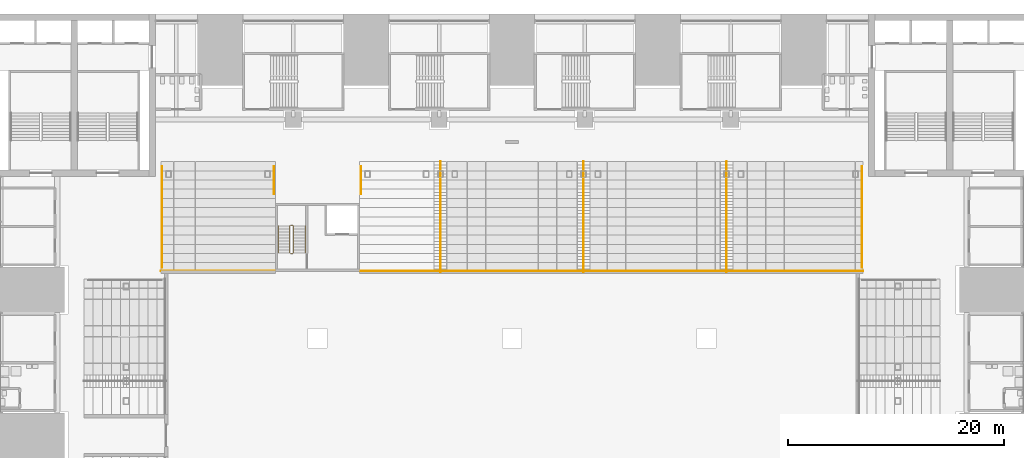
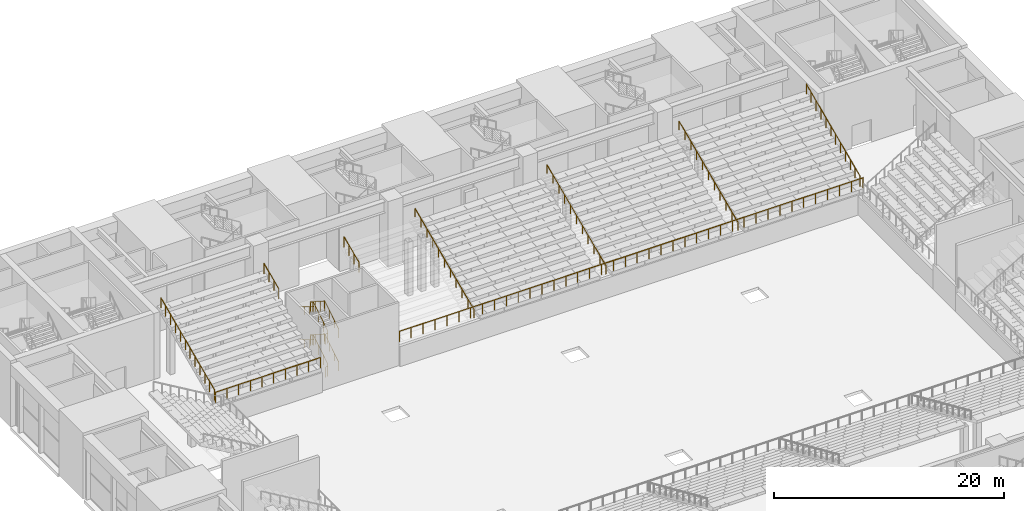
# One storey, part 57 of 62: 3 railings.
"""IFC4 building model written with IfcOpenShell, lengths in metres."""

from ifc_helpers import new_model, si_unit, direction, frame, origin, origin_2d, place, context, subcontext, project, spatial, circle, extrude, material, type_object, element, save


model = new_model("IFC4")

# Units and contexts
model_context = context("Model", 3, precision=1e-05, world=origin(), true_north=direction((0.0, 1.0)))
body_context = subcontext(model_context, "Body", "Model", "MODEL_VIEW")
ifc_project = project(units=[si_unit("LENGTHUNIT", "METRE"), si_unit("AREAUNIT", "SQUARE_METRE"), si_unit("VOLUMEUNIT", "CUBIC_METRE"), si_unit("PLANEANGLEUNIT", "RADIAN"), si_unit("MASSUNIT", "GRAM", prefix="KILO")], contexts=[model_context])

# Site, building, storey
site_placement = place(None, origin())
site = spatial("IfcSite", under=ifc_project, at=site_placement, CompositionType="ELEMENT")
building_placement = place(site_placement, origin())
building = spatial("IfcBuilding", under=site, at=building_placement, Name="Corbelhall Arena Tower", CompositionType="ELEMENT")
storey_placement = place(building_placement, frame((0.0, 0.0, 12.0)))
storey = spatial("IfcBuildingStorey", under=building, at=storey_placement, Name="L01", CompositionType="ELEMENT", Elevation=12.0)

# Railings
ifc_material_1 = material(Name="Stainless steel A4 and laminated glass", Category="steel")
railing_type_1 = type_object("IfcRailingType", Name="AR-GUARD-GLASS", PredefinedType="GUARDRAIL", material=ifc_material_1)
railing_1_placement = place(storey_placement, frame((-32.5, 15.25, 2.5)))
element("IfcRailing", 1, at=railing_1_placement, inside=storey, type_object=railing_type_1, Name="Tier guards LN", PredefinedType="GUARDRAIL", context=body_context, shape_type="SweptSolid", body=[
    extrude(circle(Radius=0.02392578125, at=origin_2d()), frame((0.0, 0.0, 1.076171875), z_axis=(1.0, 0.0, 0.0), x_axis=(0.0, 1.0, 0.0)), (0.0, 0.0, 1.0), 10.5400390625),
    extrude(circle(Radius=0.02392578125, at=origin_2d()), frame((18.4599609375, 0.0, 1.076171875), z_axis=(1.0, 0.0, 0.0), x_axis=(0.0, 1.0, 0.0)), (0.0, 0.0, 1.0), 46.5400390625),
    extrude(circle(Radius=0.02392578125, at=origin_2d()), frame((0.1201171875, 0.324951171875, 1.076171875), z_axis=(0.0, 0.914934924949, 0.403601391362), x_axis=(-1.0, 0.0, 0.0)), (0.0, 0.0, 1.0), 0.92919921875),
    extrude(circle(Radius=0.02392578125, at=origin_2d()), frame((0.1201171875, 1.175048828125, 1.451171875), z_axis=(0.0, 0.914892107244, 0.403698442036), x_axis=(-1.0, 0.0, 0.0)), (0.0, 0.0, 1.0), 0.928955078125),
    extrude(circle(Radius=0.02392578125, at=origin_2d()), frame((0.1201171875, 2.02490234375, 1.826171875), z_axis=(0.0, 0.914934924949, 0.403601391362), x_axis=(-1.0, 0.0, 0.0)), (0.0, 0.0, 1.0), 0.92919921875),
    extrude(circle(Radius=0.02392578125, at=origin_2d()), frame((0.1201171875, 2.875, 2.201171875), z_axis=(0.0, 0.914934924949, 0.403601391362), x_axis=(-1.0, 0.0, 0.0)), (0.0, 0.0, 1.0), 0.92919921875),
    extrude(circle(Radius=0.02392578125, at=origin_2d()), frame((0.1201171875, 3.72509765625, 2.576171875), z_axis=(0.0, 0.914892107244, 0.403698442036), x_axis=(-1.0, 0.0, 0.0)), (0.0, 0.0, 1.0), 0.928955078125),
    extrude(circle(Radius=0.02392578125, at=origin_2d()), frame((0.1201171875, 4.574951171875, 2.951171875), z_axis=(0.0, 0.914934924949, 0.403601391362), x_axis=(-1.0, 0.0, 0.0)), (0.0, 0.0, 1.0), 0.92919921875),
    extrude(circle(Radius=0.02392578125, at=origin_2d()), frame((0.1201171875, 5.425048828125, 3.326171875), z_axis=(0.0, 0.914892107244, 0.403698442036), x_axis=(-1.0, 0.0, 0.0)), (0.0, 0.0, 1.0), 0.928955078125),
    extrude(circle(Radius=0.02392578125, at=origin_2d()), frame((0.1201171875, 6.27490234375, 3.701171875), z_axis=(0.0, 0.914934924949, 0.403601391362), x_axis=(-1.0, 0.0, 0.0)), (0.0, 0.0, 1.0), 0.92919921875),
    extrude(circle(Radius=0.02392578125, at=origin_2d()), frame((0.1201171875, 7.125, 4.076171875), z_axis=(0.0, 0.914934924949, 0.403601391362), x_axis=(-1.0, 0.0, 0.0)), (0.0, 0.0, 1.0), 0.92919921875),
    extrude(circle(Radius=0.02392578125, at=origin_2d()), frame((0.1201171875, 7.97509765625, 4.451171875), z_axis=(0.0, 0.914892107244, 0.403698442036), x_axis=(-1.0, 0.0, 0.0)), (0.0, 0.0, 1.0), 0.928955078125),
    extrude(circle(Radius=0.02392578125, at=origin_2d()), frame((0.1201171875, 8.824951171875, 4.826171875), z_axis=(0.0, 0.914934924949, 0.403601391362), x_axis=(-1.0, 0.0, 0.0)), (0.0, 0.0, 1.0), 0.92919921875),
    extrude(circle(Radius=0.02392578125, at=origin_2d()), frame((64.8798828125, 0.324951171875, 1.076171875), z_axis=(0.0, 0.914934924949, 0.403601391362), x_axis=(-1.0, 0.0, 0.0)), (0.0, 0.0, 1.0), 0.92919921875),
    extrude(circle(Radius=0.02392578125, at=origin_2d()), frame((64.8798828125, 1.175048828125, 1.451171875), z_axis=(0.0, 0.914892107244, 0.403698442036), x_axis=(-1.0, 0.0, 0.0)), (0.0, 0.0, 1.0), 0.928955078125),
    extrude(circle(Radius=0.02392578125, at=origin_2d()), frame((64.8798828125, 2.02490234375, 1.826171875), z_axis=(0.0, 0.914934924949, 0.403601391362), x_axis=(-1.0, 0.0, 0.0)), (0.0, 0.0, 1.0), 0.92919921875),
    extrude(circle(Radius=0.02392578125, at=origin_2d()), frame((64.8798828125, 2.875, 2.201171875), z_axis=(0.0, 0.914934924949, 0.403601391362), x_axis=(-1.0, 0.0, 0.0)), (0.0, 0.0, 1.0), 0.92919921875),
    extrude(circle(Radius=0.02392578125, at=origin_2d()), frame((64.8798828125, 3.72509765625, 2.576171875), z_axis=(0.0, 0.914892107244, 0.403698442036), x_axis=(-1.0, 0.0, 0.0)), (0.0, 0.0, 1.0), 0.928955078125),
    extrude(circle(Radius=0.02392578125, at=origin_2d()), frame((64.8798828125, 4.574951171875, 2.951171875), z_axis=(0.0, 0.914934924949, 0.403601391362), x_axis=(-1.0, 0.0, 0.0)), (0.0, 0.0, 1.0), 0.92919921875),
    extrude(circle(Radius=0.02392578125, at=origin_2d()), frame((64.8798828125, 5.425048828125, 3.326171875), z_axis=(0.0, 0.914892107244, 0.403698442036), x_axis=(-1.0, 0.0, 0.0)), (0.0, 0.0, 1.0), 0.928955078125),
    extrude(circle(Radius=0.02392578125, at=origin_2d()), frame((64.8798828125, 6.27490234375, 3.701171875), z_axis=(0.0, 0.914934924949, 0.403601391362), x_axis=(-1.0, 0.0, 0.0)), (0.0, 0.0, 1.0), 0.92919921875),
    extrude(circle(Radius=0.02392578125, at=origin_2d()), frame((64.8798828125, 7.125, 4.076171875), z_axis=(0.0, 0.914934924949, 0.403601391362), x_axis=(-1.0, 0.0, 0.0)), (0.0, 0.0, 1.0), 0.92919921875),
    extrude(circle(Radius=0.02392578125, at=origin_2d()), frame((64.8798828125, 7.97509765625, 4.451171875), z_axis=(0.0, 0.914892107244, 0.403698442036), x_axis=(-1.0, 0.0, 0.0)), (0.0, 0.0, 1.0), 0.928955078125),
    extrude(circle(Radius=0.02392578125, at=origin_2d()), frame((64.8798828125, 8.824951171875, 4.826171875), z_axis=(0.0, 0.914934924949, 0.403601391362), x_axis=(-1.0, 0.0, 0.0)), (0.0, 0.0, 1.0), 0.92919921875),
    extrude(circle(Radius=0.02392578125, at=origin_2d()), frame((10.47998046875, 7.125, 4.076171875), z_axis=(0.0, 0.914934924949, 0.403601391362), x_axis=(-1.0, 0.0, 0.0)), (0.0, 0.0, 1.0), 0.92919921875),
    extrude(circle(Radius=0.02392578125, at=origin_2d()), frame((10.47998046875, 7.97509765625, 4.451171875), z_axis=(0.0, 0.914892107244, 0.403698442036), x_axis=(-1.0, 0.0, 0.0)), (0.0, 0.0, 1.0), 0.928955078125),
    extrude(circle(Radius=0.02392578125, at=origin_2d()), frame((10.47998046875, 8.824951171875, 4.826171875), z_axis=(0.0, 0.914934924949, 0.403601391362), x_axis=(-1.0, 0.0, 0.0)), (0.0, 0.0, 1.0), 0.92919921875),
    extrude(circle(Radius=0.02392578125, at=origin_2d()), frame((18.52001953125, 7.125, 4.076171875), z_axis=(0.0, 0.914934924949, 0.403601391362), x_axis=(-1.0, 0.0, 0.0)), (0.0, 0.0, 1.0), 0.92919921875),
    extrude(circle(Radius=0.02392578125, at=origin_2d()), frame((18.52001953125, 7.97509765625, 4.451171875), z_axis=(0.0, 0.914892107244, 0.403698442036), x_axis=(-1.0, 0.0, 0.0)), (0.0, 0.0, 1.0), 0.928955078125),
    extrude(circle(Radius=0.02392578125, at=origin_2d()), frame((18.52001953125, 8.824951171875, 4.826171875), z_axis=(0.0, 0.914934924949, 0.403601391362), x_axis=(-1.0, 0.0, 0.0)), (0.0, 0.0, 1.0), 0.92919921875),
    extrude(circle(Radius=0.02099609375, at=origin_2d()), origin(), (0.0, 0.0, 1.0), 1.052001953125),
    extrude(circle(Radius=0.02099609375, at=origin_2d()), frame((1.171142578125, 0.0, 0.0)), (0.0, 0.0, 1.0), 1.052001953125),
    extrude(circle(Radius=0.02099609375, at=origin_2d()), frame((2.34228515625, 0.0, 0.0)), (0.0, 0.0, 1.0), 1.052001953125),
    extrude(circle(Radius=0.02099609375, at=origin_2d()), frame((3.513427734375, 0.0, 0.0)), (0.0, 0.0, 1.0), 1.052001953125),
    extrude(circle(Radius=0.02099609375, at=origin_2d()), frame((4.6845703125, 0.0, 0.0)), (0.0, 0.0, 1.0), 1.052001953125),
    extrude(circle(Radius=0.02099609375, at=origin_2d()), frame((5.85546875, 0.0, 0.0)), (0.0, 0.0, 1.0), 1.052001953125),
    extrude(circle(Radius=0.02099609375, at=origin_2d()), frame((7.026611328125, 0.0, 0.0)), (0.0, 0.0, 1.0), 1.052001953125),
    extrude(circle(Radius=0.02099609375, at=origin_2d()), frame((8.19775390625, 0.0, 0.0)), (0.0, 0.0, 1.0), 1.052001953125),
    extrude(circle(Radius=0.02099609375, at=origin_2d()), frame((9.368896484375, 0.0, 0.0)), (0.0, 0.0, 1.0), 1.052001953125),
    extrude(circle(Radius=0.02099609375, at=origin_2d()), frame((10.5400390625, 0.0, 0.0)), (0.0, 0.0, 1.0), 1.052001953125),
    extrude(circle(Radius=0.02099609375, at=origin_2d()), frame((18.4599609375, 0.0, 0.0)), (0.0, 0.0, 1.0), 1.052001953125),
    extrude(circle(Radius=0.02099609375, at=origin_2d()), frame((19.6533203125, 0.0, 0.0)), (0.0, 0.0, 1.0), 1.052001953125),
    extrude(circle(Radius=0.02099609375, at=origin_2d()), frame((20.8466796875, 0.0, 0.0)), (0.0, 0.0, 1.0), 1.052001953125),
    extrude(circle(Radius=0.02099609375, at=origin_2d()), frame((22.0400390625, 0.0, 0.0)), (0.0, 0.0, 1.0), 1.052001953125),
    extrude(circle(Radius=0.02099609375, at=origin_2d()), frame((23.2333984375, 0.0, 0.0)), (0.0, 0.0, 1.0), 1.052001953125),
    extrude(circle(Radius=0.02099609375, at=origin_2d()), frame((24.426513671875, 0.0, 0.0)), (0.0, 0.0, 1.0), 1.052001953125),
    extrude(circle(Radius=0.02099609375, at=origin_2d()), frame((25.619873046875, 0.0, 0.0)), (0.0, 0.0, 1.0), 1.052001953125),
    extrude(circle(Radius=0.02099609375, at=origin_2d()), frame((26.813232421875, 0.0, 0.0)), (0.0, 0.0, 1.0), 1.052001953125),
    extrude(circle(Radius=0.02099609375, at=origin_2d()), frame((28.006591796875, 0.0, 0.0)), (0.0, 0.0, 1.0), 1.052001953125),
    extrude(circle(Radius=0.02099609375, at=origin_2d()), frame((29.199951171875, 0.0, 0.0)), (0.0, 0.0, 1.0), 1.052001953125),
    extrude(circle(Radius=0.02099609375, at=origin_2d()), frame((30.393310546875, 0.0, 0.0)), (0.0, 0.0, 1.0), 1.052001953125),
    extrude(circle(Radius=0.02099609375, at=origin_2d()), frame((31.586669921875, 0.0, 0.0)), (0.0, 0.0, 1.0), 1.052001953125),
    extrude(circle(Radius=0.02099609375, at=origin_2d()), frame((32.780029296875, 0.0, 0.0)), (0.0, 0.0, 1.0), 1.052001953125),
    extrude(circle(Radius=0.02099609375, at=origin_2d()), frame((33.973388671875, 0.0, 0.0)), (0.0, 0.0, 1.0), 1.052001953125),
    extrude(circle(Radius=0.02099609375, at=origin_2d()), frame((35.166748046875, 0.0, 0.0)), (0.0, 0.0, 1.0), 1.052001953125),
    extrude(circle(Radius=0.02099609375, at=origin_2d()), frame((36.35986328125, 0.0, 0.0)), (0.0, 0.0, 1.0), 1.052001953125),
    extrude(circle(Radius=0.02099609375, at=origin_2d()), frame((37.55322265625, 0.0, 0.0)), (0.0, 0.0, 1.0), 1.052001953125),
    extrude(circle(Radius=0.02099609375, at=origin_2d()), frame((38.74658203125, 0.0, 0.0)), (0.0, 0.0, 1.0), 1.052001953125),
    extrude(circle(Radius=0.02099609375, at=origin_2d()), frame((39.93994140625, 0.0, 0.0)), (0.0, 0.0, 1.0), 1.052001953125),
    extrude(circle(Radius=0.02099609375, at=origin_2d()), frame((41.13330078125, 0.0, 0.0)), (0.0, 0.0, 1.0), 1.052001953125),
    extrude(circle(Radius=0.02099609375, at=origin_2d()), frame((42.32666015625, 0.0, 0.0)), (0.0, 0.0, 1.0), 1.052001953125),
    extrude(circle(Radius=0.02099609375, at=origin_2d()), frame((43.52001953125, 0.0, 0.0)), (0.0, 0.0, 1.0), 1.052001953125),
    extrude(circle(Radius=0.02099609375, at=origin_2d()), frame((44.71337890625, 0.0, 0.0)), (0.0, 0.0, 1.0), 1.052001953125),
    extrude(circle(Radius=0.02099609375, at=origin_2d()), frame((45.90673828125, 0.0, 0.0)), (0.0, 0.0, 1.0), 1.052001953125),
    extrude(circle(Radius=0.02099609375, at=origin_2d()), frame((47.10009765625, 0.0, 0.0)), (0.0, 0.0, 1.0), 1.052001953125),
    extrude(circle(Radius=0.02099609375, at=origin_2d()), frame((48.293212890625, 0.0, 0.0)), (0.0, 0.0, 1.0), 1.052001953125),
    extrude(circle(Radius=0.02099609375, at=origin_2d()), frame((49.486572265625, 0.0, 0.0)), (0.0, 0.0, 1.0), 1.052001953125),
    extrude(circle(Radius=0.02099609375, at=origin_2d()), frame((50.679931640625, 0.0, 0.0)), (0.0, 0.0, 1.0), 1.052001953125),
    extrude(circle(Radius=0.02099609375, at=origin_2d()), frame((51.873291015625, 0.0, 0.0)), (0.0, 0.0, 1.0), 1.052001953125),
    extrude(circle(Radius=0.02099609375, at=origin_2d()), frame((53.066650390625, 0.0, 0.0)), (0.0, 0.0, 1.0), 1.052001953125),
    extrude(circle(Radius=0.02099609375, at=origin_2d()), frame((54.260009765625, 0.0, 0.0)), (0.0, 0.0, 1.0), 1.052001953125),
    extrude(circle(Radius=0.02099609375, at=origin_2d()), frame((55.453369140625, 0.0, 0.0)), (0.0, 0.0, 1.0), 1.052001953125),
    extrude(circle(Radius=0.02099609375, at=origin_2d()), frame((56.646728515625, 0.0, 0.0)), (0.0, 0.0, 1.0), 1.052001953125),
    extrude(circle(Radius=0.02099609375, at=origin_2d()), frame((57.840087890625, 0.0, 0.0)), (0.0, 0.0, 1.0), 1.052001953125),
    extrude(circle(Radius=0.02099609375, at=origin_2d()), frame((59.033447265625, 0.0, 0.0)), (0.0, 0.0, 1.0), 1.052001953125),
    extrude(circle(Radius=0.02099609375, at=origin_2d()), frame((60.2265625, 0.0, 0.0)), (0.0, 0.0, 1.0), 1.052001953125),
    extrude(circle(Radius=0.02099609375, at=origin_2d()), frame((61.419921875, 0.0, 0.0)), (0.0, 0.0, 1.0), 1.052001953125),
    extrude(circle(Radius=0.02099609375, at=origin_2d()), frame((62.61328125, 0.0, 0.0)), (0.0, 0.0, 1.0), 1.052001953125),
    extrude(circle(Radius=0.02099609375, at=origin_2d()), frame((63.806640625, 0.0, 0.0)), (0.0, 0.0, 1.0), 1.052001953125),
    extrude(circle(Radius=0.02099609375, at=origin_2d()), frame((65.0, 0.0, 0.0)), (0.0, 0.0, 1.0), 1.052001953125),
    extrude(circle(Radius=0.02099609375, at=origin_2d()), frame((0.1201171875, 0.324951171875, 0.0)), (0.0, 0.0, 1.0), 1.052001953125),
    extrude(circle(Radius=0.02099609375, at=origin_2d()), frame((0.1201171875, 1.175048828125, 0.375)), (0.0, 0.0, 1.0), 1.052001953125),
    extrude(circle(Radius=0.02099609375, at=origin_2d()), frame((0.1201171875, 2.02490234375, 0.75)), (0.0, 0.0, 1.0), 1.052001953125),
    extrude(circle(Radius=0.02099609375, at=origin_2d()), frame((0.1201171875, 2.875, 1.125)), (0.0, 0.0, 1.0), 1.052001953125),
    extrude(circle(Radius=0.02099609375, at=origin_2d()), frame((0.1201171875, 3.72509765625, 1.5)), (0.0, 0.0, 1.0), 1.052001953125),
    extrude(circle(Radius=0.02099609375, at=origin_2d()), frame((0.1201171875, 4.574951171875, 1.875)), (0.0, 0.0, 1.0), 1.052001953125),
    extrude(circle(Radius=0.02099609375, at=origin_2d()), frame((0.1201171875, 5.425048828125, 2.25)), (0.0, 0.0, 1.0), 1.052001953125),
    extrude(circle(Radius=0.02099609375, at=origin_2d()), frame((0.1201171875, 6.27490234375, 2.625)), (0.0, 0.0, 1.0), 1.052001953125),
    extrude(circle(Radius=0.02099609375, at=origin_2d()), frame((0.1201171875, 7.125, 3.0)), (0.0, 0.0, 1.0), 1.052001953125),
    extrude(circle(Radius=0.02099609375, at=origin_2d()), frame((0.1201171875, 7.97509765625, 3.375)), (0.0, 0.0, 1.0), 1.052001953125),
    extrude(circle(Radius=0.02099609375, at=origin_2d()), frame((0.1201171875, 8.824951171875, 3.75)), (0.0, 0.0, 1.0), 1.052001953125),
    extrude(circle(Radius=0.02099609375, at=origin_2d()), frame((0.1201171875, 9.675048828125, 4.125)), (0.0, 0.0, 1.0), 1.052001953125),
    extrude(circle(Radius=0.02099609375, at=origin_2d()), frame((64.8798828125, 0.324951171875, 0.0)), (0.0, 0.0, 1.0), 1.052001953125),
    extrude(circle(Radius=0.02099609375, at=origin_2d()), frame((64.8798828125, 1.175048828125, 0.375)), (0.0, 0.0, 1.0), 1.052001953125),
    extrude(circle(Radius=0.02099609375, at=origin_2d()), frame((64.8798828125, 2.02490234375, 0.75)), (0.0, 0.0, 1.0), 1.052001953125),
    extrude(circle(Radius=0.02099609375, at=origin_2d()), frame((64.8798828125, 2.875, 1.125)), (0.0, 0.0, 1.0), 1.052001953125),
    extrude(circle(Radius=0.02099609375, at=origin_2d()), frame((64.8798828125, 3.72509765625, 1.5)), (0.0, 0.0, 1.0), 1.052001953125),
    extrude(circle(Radius=0.02099609375, at=origin_2d()), frame((64.8798828125, 4.574951171875, 1.875)), (0.0, 0.0, 1.0), 1.052001953125),
    extrude(circle(Radius=0.02099609375, at=origin_2d()), frame((64.8798828125, 5.425048828125, 2.25)), (0.0, 0.0, 1.0), 1.052001953125),
    extrude(circle(Radius=0.02099609375, at=origin_2d()), frame((64.8798828125, 6.27490234375, 2.625)), (0.0, 0.0, 1.0), 1.052001953125),
    extrude(circle(Radius=0.02099609375, at=origin_2d()), frame((64.8798828125, 7.125, 3.0)), (0.0, 0.0, 1.0), 1.052001953125),
    extrude(circle(Radius=0.02099609375, at=origin_2d()), frame((64.8798828125, 7.97509765625, 3.375)), (0.0, 0.0, 1.0), 1.052001953125),
    extrude(circle(Radius=0.02099609375, at=origin_2d()), frame((64.8798828125, 8.824951171875, 3.75)), (0.0, 0.0, 1.0), 1.052001953125),
    extrude(circle(Radius=0.02099609375, at=origin_2d()), frame((64.8798828125, 9.675048828125, 4.125)), (0.0, 0.0, 1.0), 1.052001953125),
    extrude(circle(Radius=0.02099609375, at=origin_2d()), frame((10.47998046875, 7.125, 3.0)), (0.0, 0.0, 1.0), 1.052001953125),
    extrude(circle(Radius=0.02099609375, at=origin_2d()), frame((10.47998046875, 7.97509765625, 3.375)), (0.0, 0.0, 1.0), 1.052001953125),
    extrude(circle(Radius=0.02099609375, at=origin_2d()), frame((10.47998046875, 8.824951171875, 3.75)), (0.0, 0.0, 1.0), 1.052001953125),
    extrude(circle(Radius=0.02099609375, at=origin_2d()), frame((10.47998046875, 9.675048828125, 4.125)), (0.0, 0.0, 1.0), 1.052001953125),
    extrude(circle(Radius=0.02099609375, at=origin_2d()), frame((18.52001953125, 7.125, 3.0)), (0.0, 0.0, 1.0), 1.052001953125),
    extrude(circle(Radius=0.02099609375, at=origin_2d()), frame((18.52001953125, 7.97509765625, 3.375)), (0.0, 0.0, 1.0), 1.052001953125),
    extrude(circle(Radius=0.02099609375, at=origin_2d()), frame((18.52001953125, 8.824951171875, 3.75)), (0.0, 0.0, 1.0), 1.052001953125),
    extrude(circle(Radius=0.02099609375, at=origin_2d()), frame((18.52001953125, 9.675048828125, 4.125)), (0.0, 0.0, 1.0), 1.052001953125),
])
ifc_material_2 = material(Name="Stainless steel A4", Category="steel")
railing_type_2 = type_object("IfcRailingType", Name="AR-HANDRAIL-AISLE", PredefinedType="HANDRAIL", material=ifc_material_2)
railing_2_placement = place(storey_placement, frame((-6.6201171875, 15.14990234375, 2.5)))
element("IfcRailing", 2, at=railing_2_placement, inside=storey, type_object=railing_type_2, Name="Aisle handrails LN", PredefinedType="HANDRAIL", context=body_context, shape_type="SweptSolid", body=[
    extrude(circle(Radius=0.02392578125, at=origin_2d()), frame((0.0, 0.0, 0.8759765625), z_axis=(0.0, 0.914920655812, 0.403633736906), x_axis=(-1.0, 0.0, 0.0)), (0.0, 0.0, 1.0), 11.148681640625),
    extrude(circle(Radius=0.02392578125, at=origin_2d()), frame((13.240234375, 0.0, 0.8759765625), z_axis=(0.0, 0.914920655812, 0.403633736906), x_axis=(-1.0, 0.0, 0.0)), (0.0, 0.0, 1.0), 11.148681640625),
    extrude(circle(Radius=0.02392578125, at=origin_2d()), frame((26.480224609375, 0.0, 0.8759765625), z_axis=(0.0, 0.914920655812, 0.403633736906), x_axis=(-1.0, 0.0, 0.0)), (0.0, 0.0, 1.0), 11.148681640625),
    extrude(circle(Radius=0.02099609375, at=origin_2d()), origin(), (0.0, 0.0, 1.0), 0.851806640625),
    extrude(circle(Radius=0.02099609375, at=origin_2d()), frame((0.0, 1.02001953125, 0.449951171875)), (0.0, 0.0, 1.0), 0.851806640625),
    extrude(circle(Radius=0.02099609375, at=origin_2d()), frame((0.0, 2.0400390625, 0.89990234375)), (0.0, 0.0, 1.0), 0.851806640625),
    extrude(circle(Radius=0.02099609375, at=origin_2d()), frame((0.0, 3.06005859375, 1.35009765625)), (0.0, 0.0, 1.0), 0.851806640625),
    extrude(circle(Radius=0.02099609375, at=origin_2d()), frame((0.0, 4.080078125, 1.800048828125)), (0.0, 0.0, 1.0), 0.851806640625),
    extrude(circle(Radius=0.02099609375, at=origin_2d()), frame((0.0, 5.10009765625, 2.25)), (0.0, 0.0, 1.0), 0.851806640625),
    extrude(circle(Radius=0.02099609375, at=origin_2d()), frame((0.0, 6.1201171875, 2.699951171875)), (0.0, 0.0, 1.0), 0.851806640625),
    extrude(circle(Radius=0.02099609375, at=origin_2d()), frame((0.0, 7.14013671875, 3.14990234375)), (0.0, 0.0, 1.0), 0.851806640625),
    extrude(circle(Radius=0.02099609375, at=origin_2d()), frame((0.0, 8.16015625, 3.60009765625)), (0.0, 0.0, 1.0), 0.851806640625),
    extrude(circle(Radius=0.02099609375, at=origin_2d()), frame((0.0, 9.18017578125, 4.050048828125)), (0.0, 0.0, 1.0), 0.851806640625),
    extrude(circle(Radius=0.02099609375, at=origin_2d()), frame((0.0, 10.2001953125, 4.5)), (0.0, 0.0, 1.0), 0.851806640625),
    extrude(circle(Radius=0.02099609375, at=origin_2d()), frame((13.240234375, 0.0, 0.0)), (0.0, 0.0, 1.0), 0.851806640625),
    extrude(circle(Radius=0.02099609375, at=origin_2d()), frame((13.240234375, 1.02001953125, 0.449951171875)), (0.0, 0.0, 1.0), 0.851806640625),
    extrude(circle(Radius=0.02099609375, at=origin_2d()), frame((13.240234375, 2.0400390625, 0.89990234375)), (0.0, 0.0, 1.0), 0.851806640625),
    extrude(circle(Radius=0.02099609375, at=origin_2d()), frame((13.240234375, 3.06005859375, 1.35009765625)), (0.0, 0.0, 1.0), 0.851806640625),
    extrude(circle(Radius=0.02099609375, at=origin_2d()), frame((13.240234375, 4.080078125, 1.800048828125)), (0.0, 0.0, 1.0), 0.851806640625),
    extrude(circle(Radius=0.02099609375, at=origin_2d()), frame((13.240234375, 5.10009765625, 2.25)), (0.0, 0.0, 1.0), 0.851806640625),
    extrude(circle(Radius=0.02099609375, at=origin_2d()), frame((13.240234375, 6.1201171875, 2.699951171875)), (0.0, 0.0, 1.0), 0.851806640625),
    extrude(circle(Radius=0.02099609375, at=origin_2d()), frame((13.240234375, 7.14013671875, 3.14990234375)), (0.0, 0.0, 1.0), 0.851806640625),
    extrude(circle(Radius=0.02099609375, at=origin_2d()), frame((13.240234375, 8.16015625, 3.60009765625)), (0.0, 0.0, 1.0), 0.851806640625),
    extrude(circle(Radius=0.02099609375, at=origin_2d()), frame((13.240234375, 9.18017578125, 4.050048828125)), (0.0, 0.0, 1.0), 0.851806640625),
    extrude(circle(Radius=0.02099609375, at=origin_2d()), frame((13.240234375, 10.2001953125, 4.5)), (0.0, 0.0, 1.0), 0.851806640625),
    extrude(circle(Radius=0.02099609375, at=origin_2d()), frame((26.480224609375, 0.0, 0.0)), (0.0, 0.0, 1.0), 0.851806640625),
    extrude(circle(Radius=0.02099609375, at=origin_2d()), frame((26.480224609375, 1.02001953125, 0.449951171875)), (0.0, 0.0, 1.0), 0.851806640625),
    extrude(circle(Radius=0.02099609375, at=origin_2d()), frame((26.480224609375, 2.0400390625, 0.89990234375)), (0.0, 0.0, 1.0), 0.851806640625),
    extrude(circle(Radius=0.02099609375, at=origin_2d()), frame((26.480224609375, 3.06005859375, 1.35009765625)), (0.0, 0.0, 1.0), 0.851806640625),
    extrude(circle(Radius=0.02099609375, at=origin_2d()), frame((26.480224609375, 4.080078125, 1.800048828125)), (0.0, 0.0, 1.0), 0.851806640625),
    extrude(circle(Radius=0.02099609375, at=origin_2d()), frame((26.480224609375, 5.10009765625, 2.25)), (0.0, 0.0, 1.0), 0.851806640625),
    extrude(circle(Radius=0.02099609375, at=origin_2d()), frame((26.480224609375, 6.1201171875, 2.699951171875)), (0.0, 0.0, 1.0), 0.851806640625),
    extrude(circle(Radius=0.02099609375, at=origin_2d()), frame((26.480224609375, 7.14013671875, 3.14990234375)), (0.0, 0.0, 1.0), 0.851806640625),
    extrude(circle(Radius=0.02099609375, at=origin_2d()), frame((26.480224609375, 8.16015625, 3.60009765625)), (0.0, 0.0, 1.0), 0.851806640625),
    extrude(circle(Radius=0.02099609375, at=origin_2d()), frame((26.480224609375, 9.18017578125, 4.050048828125)), (0.0, 0.0, 1.0), 0.851806640625),
    extrude(circle(Radius=0.02099609375, at=origin_2d()), frame((26.480224609375, 10.2001953125, 4.5)), (0.0, 0.0, 1.0), 0.851806640625),
])
ifc_material_3 = material(Name="Steel ASTM A500 Gr C", Category="steel")
railing_type_3 = type_object("IfcRailingType", Name="IN-GD-1100", PredefinedType="GUARDRAIL", material=ifc_material_3)
railing_3_placement = place(storey_placement, frame((-20.2451171875, 16.89990234375, 0.175048828125)))
element("IfcRailing", 3, at=railing_3_placement, inside=storey, type_object=railing_type_3, Name="L01 AS17 stair guards and handrails", PredefinedType="GUARDRAIL", context=body_context, shape_type="SweptSolid", body=[
    extrude(circle(Radius=0.02392578125, at=origin_2d()), frame((0.0, 0.0, 1.076171875), z_axis=(0.0, 0.848007534815, 0.529984170421), x_axis=(-1.0, 0.0, 0.0)), (0.0, 0.0, 1.0), 2.9716796875),
    extrude(circle(Radius=0.02392578125, at=origin_2d()), frame((-0.0498046875, 2.570068359375, 2.65087890625), z_axis=(-1.0, 0.0, 0.0), x_axis=(0.0, -1.0, 0.0)), (0.0, 0.0, 1.0), 0.2001953125),
    extrude(circle(Radius=0.02392578125, at=origin_2d()), frame((-0.2998046875, 2.52001953125, 2.826171875), z_axis=(0.0, -0.848007534815, 0.529984170421), x_axis=(1.0, 0.0, 0.0)), (0.0, 0.0, 1.0), 2.9716796875),
    extrude(circle(Radius=0.02392578125, at=origin_2d()), frame((-0.0498046875, -0.0498046875, 4.40087890625), z_axis=(-1.0, 0.0, 0.0), x_axis=(0.0, -1.0, 0.0)), (0.0, 0.0, 1.0), 0.2001953125),
    extrude(circle(Radius=0.02392578125, at=origin_2d()), frame((0.0, 0.0, 4.576171875), z_axis=(0.0, 0.848007534815, 0.529984170421), x_axis=(-1.0, 0.0, 0.0)), (0.0, 0.0, 1.0), 2.9716796875),
    extrude(circle(Radius=0.02392578125, at=origin_2d()), frame((-0.0498046875, 2.570068359375, 6.15087890625), z_axis=(-1.0, 0.0, 0.0), x_axis=(0.0, -1.0, 0.0)), (0.0, 0.0, 1.0), 0.2001953125),
    extrude(circle(Radius=0.02392578125, at=origin_2d()), frame((-0.2998046875, 2.52001953125, 6.326171875), z_axis=(0.0, -0.848007534815, 0.529984170421), x_axis=(1.0, 0.0, 0.0)), (0.0, 0.0, 1.0), 2.9716796875),
    extrude(circle(Radius=0.02392578125, at=origin_2d()), frame((-0.0498046875, -0.0498046875, 0.90087890625), z_axis=(-1.0, 0.0, 0.0), x_axis=(0.0, -1.0, 0.0)), (0.0, 0.0, 1.0), 0.2001953125),
    extrude(circle(Radius=0.02392578125, at=origin_2d()), frame((1.10009765625, 0.0, 0.8759765625), z_axis=(0.0, 0.848007534815, 0.529984170421), x_axis=(-1.0, 0.0, 0.0)), (0.0, 0.0, 1.0), 2.9716796875),
    extrude(circle(Radius=0.02392578125, at=origin_2d()), frame((-1.39990234375, 2.52001953125, 2.6259765625), z_axis=(0.0, -0.848007534815, 0.529984170421), x_axis=(1.0, 0.0, 0.0)), (0.0, 0.0, 1.0), 2.9716796875),
    extrude(circle(Radius=0.02392578125, at=origin_2d()), frame((1.10009765625, 0.0, 4.3759765625), z_axis=(0.0, 0.848007534815, 0.529984170421), x_axis=(-1.0, 0.0, 0.0)), (0.0, 0.0, 1.0), 2.9716796875),
    extrude(circle(Radius=0.02392578125, at=origin_2d()), frame((-1.39990234375, 2.52001953125, 6.1259765625), z_axis=(0.0, -0.848007534815, 0.529984170421), x_axis=(1.0, 0.0, 0.0)), (0.0, 0.0, 1.0), 2.9716796875),
    extrude(circle(Radius=0.02099609375, at=origin_2d()), origin(), (0.0, 0.0, 1.0), 1.052001953125),
    extrude(circle(Radius=0.02099609375, at=origin_2d()), frame((0.0, 0.840087890625, 0.52490234375)), (0.0, 0.0, 1.0), 1.052001953125),
    extrude(circle(Radius=0.02099609375, at=origin_2d()), frame((0.0, 1.679931640625, 1.050048828125)), (0.0, 0.0, 1.0), 1.052001953125),
    extrude(circle(Radius=0.02099609375, at=origin_2d()), frame((0.0, 2.52001953125, 1.574951171875)), (0.0, 0.0, 1.0), 1.052001953125),
    extrude(circle(Radius=0.02099609375, at=origin_2d()), frame((-0.0498046875, 2.570068359375, 1.574951171875)), (0.0, 0.0, 1.0), 1.052001953125),
    extrude(circle(Radius=0.02099609375, at=origin_2d()), frame((-0.25, 2.570068359375, 1.574951171875)), (0.0, 0.0, 1.0), 1.052001953125),
    extrude(circle(Radius=0.02099609375, at=origin_2d()), frame((-0.2998046875, 2.52001953125, 1.75)), (0.0, 0.0, 1.0), 1.052001953125),
    extrude(circle(Radius=0.02099609375, at=origin_2d()), frame((-0.2998046875, 1.679931640625, 2.27490234375)), (0.0, 0.0, 1.0), 1.052001953125),
    extrude(circle(Radius=0.02099609375, at=origin_2d()), frame((-0.2998046875, 0.840087890625, 2.800048828125)), (0.0, 0.0, 1.0), 1.052001953125),
    extrude(circle(Radius=0.02099609375, at=origin_2d()), frame((-0.2998046875, 0.0, 3.324951171875)), (0.0, 0.0, 1.0), 1.052001953125),
    extrude(circle(Radius=0.02099609375, at=origin_2d()), frame((-0.0498046875, -0.0498046875, 3.324951171875)), (0.0, 0.0, 1.0), 1.052001953125),
    extrude(circle(Radius=0.02099609375, at=origin_2d()), frame((-0.25, -0.0498046875, 3.324951171875)), (0.0, 0.0, 1.0), 1.052001953125),
    extrude(circle(Radius=0.02099609375, at=origin_2d()), frame((0.0, 0.0, 3.5)), (0.0, 0.0, 1.0), 1.052001953125),
    extrude(circle(Radius=0.02099609375, at=origin_2d()), frame((0.0, 0.840087890625, 4.02490234375)), (0.0, 0.0, 1.0), 1.052001953125),
    extrude(circle(Radius=0.02099609375, at=origin_2d()), frame((0.0, 1.679931640625, 4.550048828125)), (0.0, 0.0, 1.0), 1.052001953125),
    extrude(circle(Radius=0.02099609375, at=origin_2d()), frame((0.0, 2.52001953125, 5.074951171875)), (0.0, 0.0, 1.0), 1.052001953125),
    extrude(circle(Radius=0.02099609375, at=origin_2d()), frame((-0.0498046875, 2.570068359375, 5.074951171875)), (0.0, 0.0, 1.0), 1.052001953125),
    extrude(circle(Radius=0.02099609375, at=origin_2d()), frame((-0.25, 2.570068359375, 5.074951171875)), (0.0, 0.0, 1.0), 1.052001953125),
    extrude(circle(Radius=0.02099609375, at=origin_2d()), frame((-0.2998046875, 2.52001953125, 5.25)), (0.0, 0.0, 1.0), 1.052001953125),
    extrude(circle(Radius=0.02099609375, at=origin_2d()), frame((-0.2998046875, 1.679931640625, 5.77490234375)), (0.0, 0.0, 1.0), 1.052001953125),
    extrude(circle(Radius=0.02099609375, at=origin_2d()), frame((-0.2998046875, 0.840087890625, 6.300048828125)), (0.0, 0.0, 1.0), 1.052001953125),
    extrude(circle(Radius=0.02099609375, at=origin_2d()), frame((-0.2998046875, 0.0, 6.824951171875)), (0.0, 0.0, 1.0), 1.052001953125),
    extrude(circle(Radius=0.02099609375, at=origin_2d()), frame((-0.0498046875, -0.0498046875, -0.175048828125)), (0.0, 0.0, 1.0), 1.052001953125),
    extrude(circle(Radius=0.02099609375, at=origin_2d()), frame((-0.25, -0.0498046875, -0.175048828125)), (0.0, 0.0, 1.0), 1.052001953125),
    extrude(circle(Radius=0.02099609375, at=origin_2d()), frame((1.10009765625, 0.0, 0.0)), (0.0, 0.0, 1.0), 0.851806640625),
    extrude(circle(Radius=0.02099609375, at=origin_2d()), frame((1.10009765625, 0.840087890625, 0.52490234375)), (0.0, 0.0, 1.0), 0.851806640625),
    extrude(circle(Radius=0.02099609375, at=origin_2d()), frame((1.10009765625, 1.679931640625, 1.050048828125)), (0.0, 0.0, 1.0), 0.851806640625),
    extrude(circle(Radius=0.02099609375, at=origin_2d()), frame((1.10009765625, 2.52001953125, 1.574951171875)), (0.0, 0.0, 1.0), 0.851806640625),
    extrude(circle(Radius=0.02099609375, at=origin_2d()), frame((-1.39990234375, 2.52001953125, 1.75)), (0.0, 0.0, 1.0), 0.851806640625),
    extrude(circle(Radius=0.02099609375, at=origin_2d()), frame((-1.39990234375, 1.679931640625, 2.27490234375)), (0.0, 0.0, 1.0), 0.851806640625),
    extrude(circle(Radius=0.02099609375, at=origin_2d()), frame((-1.39990234375, 0.840087890625, 2.800048828125)), (0.0, 0.0, 1.0), 0.851806640625),
    extrude(circle(Radius=0.02099609375, at=origin_2d()), frame((-1.39990234375, 0.0, 3.324951171875)), (0.0, 0.0, 1.0), 0.851806640625),
    extrude(circle(Radius=0.02099609375, at=origin_2d()), frame((1.10009765625, 0.0, 3.5)), (0.0, 0.0, 1.0), 0.851806640625),
    extrude(circle(Radius=0.02099609375, at=origin_2d()), frame((1.10009765625, 0.840087890625, 4.02490234375)), (0.0, 0.0, 1.0), 0.851806640625),
    extrude(circle(Radius=0.02099609375, at=origin_2d()), frame((1.10009765625, 1.679931640625, 4.550048828125)), (0.0, 0.0, 1.0), 0.851806640625),
    extrude(circle(Radius=0.02099609375, at=origin_2d()), frame((1.10009765625, 2.52001953125, 5.074951171875)), (0.0, 0.0, 1.0), 0.851806640625),
    extrude(circle(Radius=0.02099609375, at=origin_2d()), frame((-1.39990234375, 2.52001953125, 5.25)), (0.0, 0.0, 1.0), 0.851806640625),
    extrude(circle(Radius=0.02099609375, at=origin_2d()), frame((-1.39990234375, 1.679931640625, 5.77490234375)), (0.0, 0.0, 1.0), 0.851806640625),
    extrude(circle(Radius=0.02099609375, at=origin_2d()), frame((-1.39990234375, 0.840087890625, 6.300048828125)), (0.0, 0.0, 1.0), 0.851806640625),
    extrude(circle(Radius=0.02099609375, at=origin_2d()), frame((-1.39990234375, 0.0, 6.824951171875)), (0.0, 0.0, 1.0), 0.851806640625),
])

save(model, "model.ifc")
